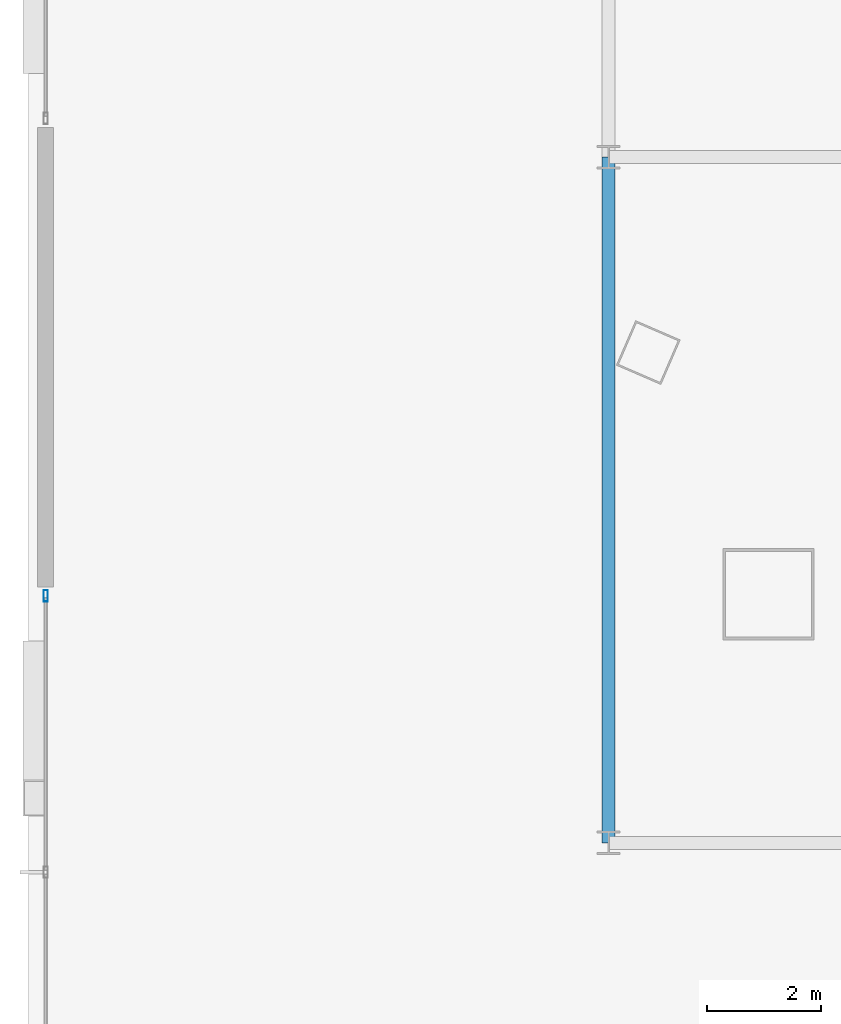
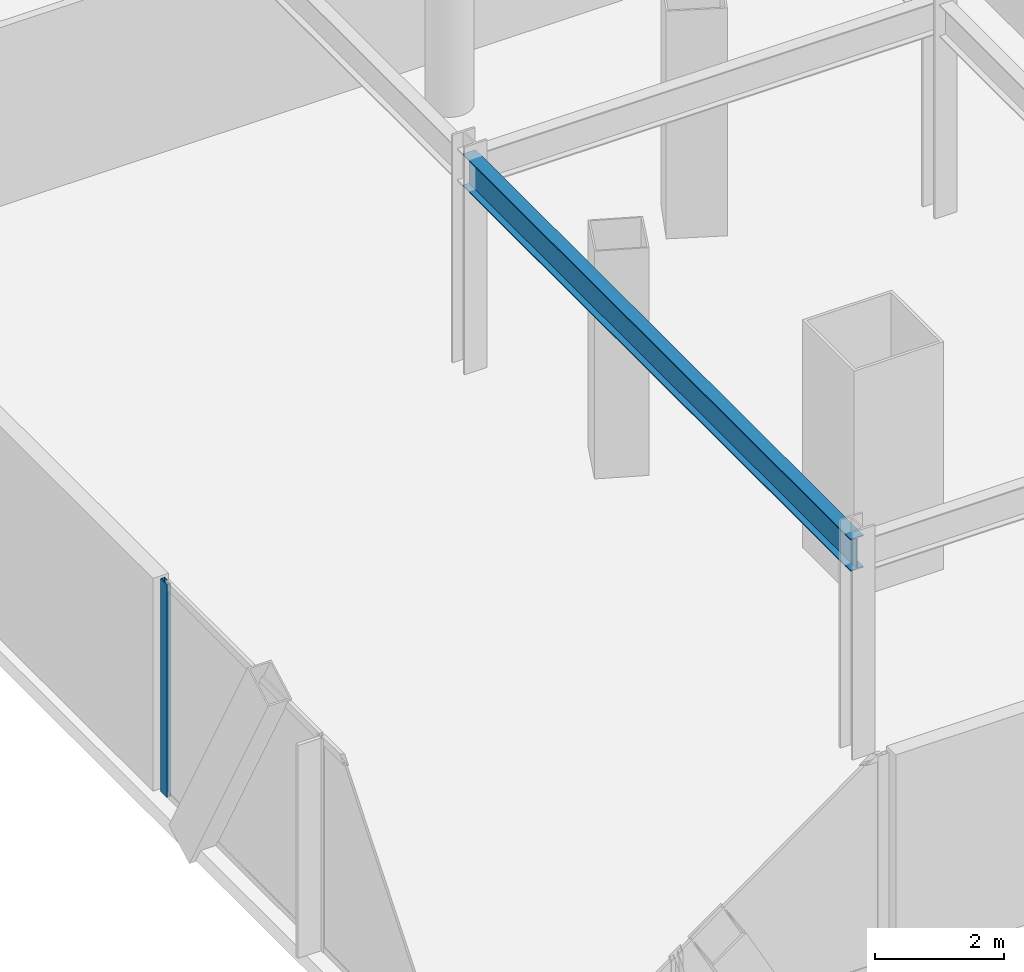
# One storey, part 7 of 42: 1 beam, 1 member, 1 element without a shape of its own.
"""IFC4 building model written with IfcOpenShell, lengths in metres."""

from ifc_helpers import new_model, si_unit, direction, frame, origin, origin_2d, place, context, subcontext, project, spatial, hollow_rectangle, i_section, extrude, material, layer, layer_set, material_profile, profile_set, type_object, element, aggregate, save


model = new_model("IFC4")

# Units and contexts
model_context = context("Model", 3, precision=1e-05, world=origin(), true_north=direction((0.0, 1.0)))
body_context = subcontext(model_context, "Body", "Model", "MODEL_VIEW")
ifc_project = project(units=[si_unit("LENGTHUNIT", "METRE"), si_unit("AREAUNIT", "SQUARE_METRE"), si_unit("VOLUMEUNIT", "CUBIC_METRE"), si_unit("PLANEANGLEUNIT", "RADIAN"), si_unit("MASSUNIT", "GRAM", prefix="KILO")], contexts=[model_context])

# Site, building, storey
site_placement = place(None, origin())
site = spatial("IfcSite", under=ifc_project, at=site_placement, CompositionType="ELEMENT")
building_placement = place(site_placement, origin())
building = spatial("IfcBuilding", under=site, at=building_placement, Name="Orvanel Arch Residences", CompositionType="ELEMENT")
storey_placement = place(building_placement, frame((0.0, 0.0, 9.800048828125)))
storey = spatial("IfcBuildingStorey", under=building, at=storey_placement, Name="L02", CompositionType="ELEMENT", Elevation=9.800048828125)

# Beam
ifc_material_1 = material(Name="Structural steel AS/NZS 3679.1 Grade 300 (300 MPa)", Category="steel")
ifc_material_profile_1 = material_profile(ifc_material_1, i_section(OverallWidth=0.22900390625, OverallDepth=0.612060546875, WebThickness=0.011962890625, FlangeThickness=0.01953125, at=origin_2d()), Name="610UB125")
ifc_profile_set_1 = profile_set([ifc_material_profile_1], Name="Structural steel AS/NZS 3679.1 Grade 300 (300 MPa)")
beam_type = type_object("IfcBeamType", Name="BG-610UB", PredefinedType="BEAM", material=ifc_profile_set_1)
beam_placement = place(storey_placement, frame((11.39990234375, 6.0, 3.7138671875), z_axis=(0.0, 1.0, 0.0), x_axis=(-1.0, 0.0, 0.0)))
element("IfcBeam", 1, at=beam_placement, inside=storey, type_object=beam_type, Name="L02 North-South Podium Girder XW11-S", PredefinedType="BEAM", context=body_context, shape_type="SweptSolid", body=[
    extrude(i_section(OverallWidth=0.22900390625, OverallDepth=0.612060546875, WebThickness=0.011962890625, FlangeThickness=0.01953125, at=origin_2d()), origin(), (0.0, 0.0, 1.0), 12.0),
])

# Curtain wall, member
ifc_material_2 = material(Name="Bronze-anodised aluminium AA6063-T6", Category="aluminium")
ifc_layer = layer(ifc_material_2, 0.199951171875)
ifc_layer_set = layer_set([ifc_layer], Name="Bronze-anodised aluminium AA6063-T6")
curtain_wall_type = type_object("IfcCurtainWallType", Name="CW1-POD-SYS", PredefinedType="NOTDEFINED", material=ifc_layer_set)
curtain_wall_placement = place(storey_placement, origin())
curtain_wall = element("IfcCurtainWall", 2, at=curtain_wall_placement, inside=storey, type_object=curtain_wall_type, Name="L02 CW1-POD-SYS Unitised Curtain Wall", PredefinedType="NOTDEFINED")
ifc_material_profile_2 = material_profile(ifc_material_2, hollow_rectangle(XDim=0.074951171875, YDim=0.199951171875, WallThickness=0.0048828125, at=origin_2d()), Name="ALU200x75x5")
ifc_profile_set_2 = profile_set([ifc_material_profile_2], Name="Bronze-anodised aluminium AA6063-T6")
member_type = type_object("IfcMemberType", Name="MUL-200x75", PredefinedType="MULLION", material=ifc_profile_set_2)
member_placement = place(storey_placement, frame((1.550048828125, 10.322509765625, 0.0), z_axis=(0.0, 0.0, 1.0), x_axis=(1.0, 0.0, 0.0)))
member = element("IfcMember", 3, at=member_placement, type_object=member_type, Name="CW-S1 mullion 1", PredefinedType="MULLION", context=body_context, shape_type="SweptSolid", body=[
    extrude(hollow_rectangle(XDim=0.074951171875, YDim=0.199951171875, WallThickness=0.0048828125, at=origin_2d()), origin(), (0.0, 0.0, 1.0), 4.02001953125),
])
aggregate(curtain_wall, [member])

save(model, "model.ifc")
